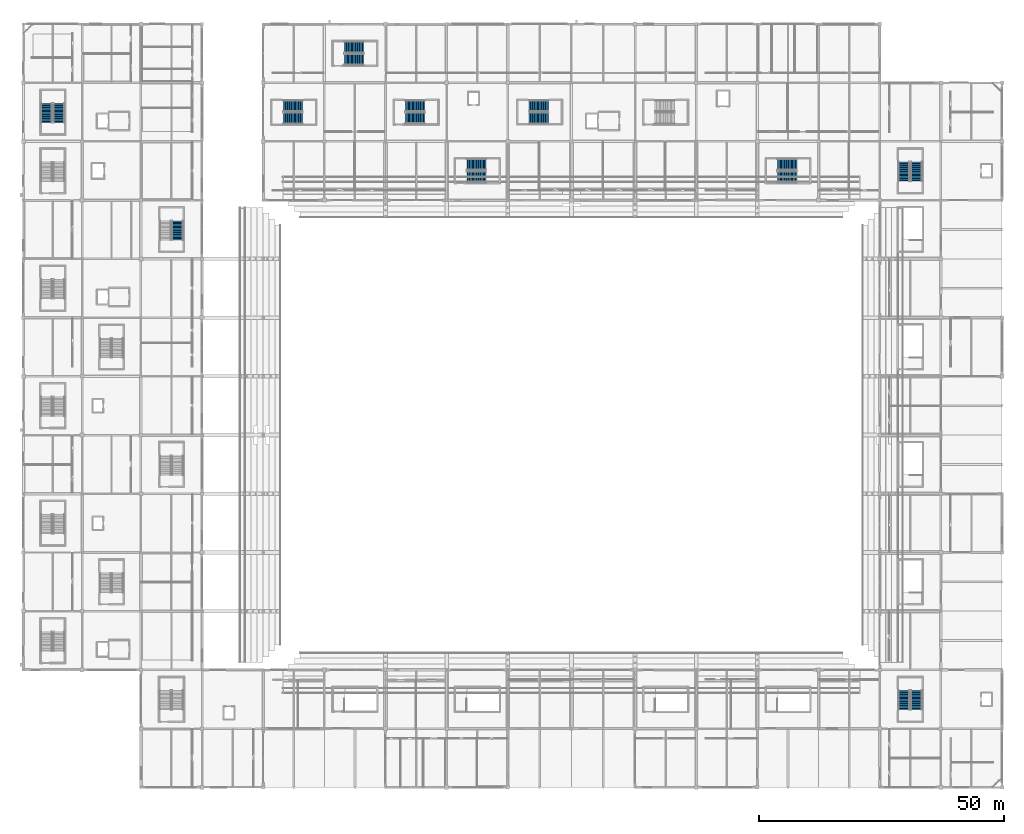
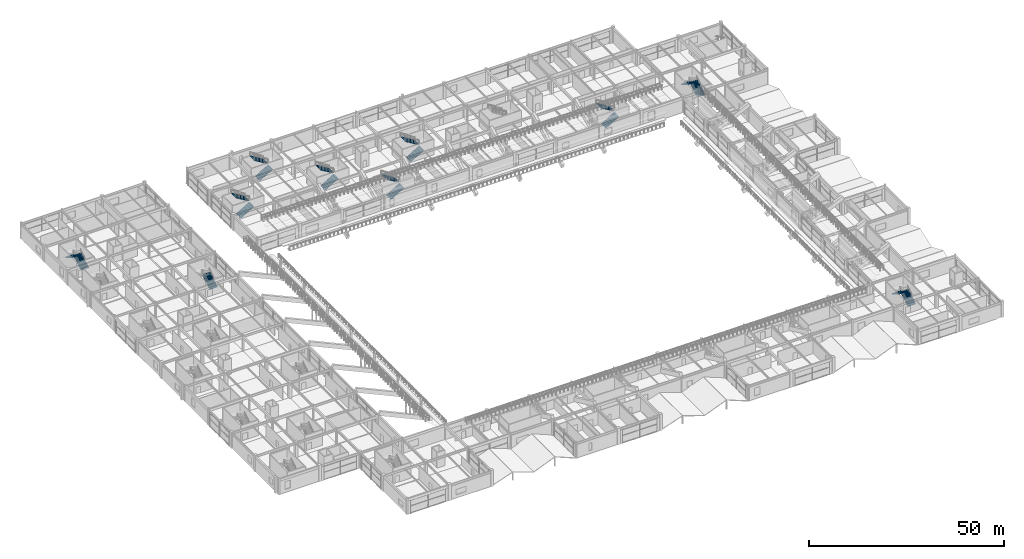
# One storey, part 101 of 128: 19 stair flights, 10 elements without a shape of their own.
"""IFC4 building model written with IfcOpenShell, lengths in metres."""

from ifc_helpers import new_model, si_unit, direction, frame, origin, place, context, subcontext, project, spatial, polyline, outline, extrude, material, type_object, element, aggregate, save


model = new_model("IFC4")

# Units and contexts
model_context = context("Model", 3, precision=1e-05, world=origin(), true_north=direction((0.0, 1.0)))
body_context = subcontext(model_context, "Body", "Model", "MODEL_VIEW")
ifc_project = project(units=[si_unit("LENGTHUNIT", "METRE"), si_unit("AREAUNIT", "SQUARE_METRE"), si_unit("VOLUMEUNIT", "CUBIC_METRE"), si_unit("PLANEANGLEUNIT", "RADIAN"), si_unit("MASSUNIT", "GRAM", prefix="KILO")], contexts=[model_context])

# Site, building, storey
site_placement = place(None, origin())
site = spatial("IfcSite", under=ifc_project, at=site_placement, CompositionType="ELEMENT")
building_placement = place(site_placement, origin())
building = spatial("IfcBuilding", under=site, at=building_placement, Name="Kazenohara Klinker Stadium", CompositionType="ELEMENT")
storey_placement = place(building_placement, frame((0.0, 0.0, 15.300048828125)))
storey = spatial("IfcBuildingStorey", under=building, at=storey_placement, Name="L03", CompositionType="ELEMENT", Elevation=15.300048828125)

# Stair, stair flights
ifc_material = material(Name="Concrete C40/50", Category="concrete")
stair_type_1 = type_object("IfcStairType", Name="STR-DL-2300", PredefinedType="HALF_TURN_STAIR", material=ifc_material)
stair_1_placement = place(storey_placement, origin())
stair_1 = element("IfcStair", 1, at=stair_1_placement, inside=storey, type_object=stair_type_1, Name="L03 Enclosed escape stair ST09", PredefinedType="HALF_TURN_STAIR")
stair_flight_type_1 = type_object("IfcStairFlightType", Name="FLT-DL-2300-5100", PredefinedType="STRAIGHT", material=ifc_material)
stair_flight_1_placement = place(storey_placement, frame((78.090087890625, 148.75, 0.0), z_axis=(0.0, 0.0, 1.0), x_axis=(1.0, 0.0, 0.0)))
stair_flight_1 = element("IfcStairFlight", 2, at=stair_flight_1_placement, type_object=stair_flight_type_1, Name="ST09 flight 1", NumberOfRisers=15, NumberOfTreads=14, PredefinedType="STRAIGHT", RiserHeight=0.17, TreadLength=0.28, context=body_context, shape_type="SweptSolid", body=[
    extrude(outline(polyline([(0.0, 0.0), (0.0, 0.169921875), (0.280029296875, 0.169921875), (0.280029296875, 0.340087890625), (0.56005859375, 0.340087890625), (0.56005859375, 0.510009765625), (0.840087890625, 0.510009765625), (0.840087890625, 0.679931640625), (1.1201171875, 0.679931640625), (1.1201171875, 0.85009765625), (1.39990234375, 0.85009765625), (1.39990234375, 1.02001953125), (1.679931640625, 1.02001953125), (1.679931640625, 1.18994140625), (1.9599609375, 1.18994140625), (1.9599609375, 1.360107421875), (2.239990234375, 1.360107421875), (2.239990234375, 1.530029296875), (2.52001953125, 1.530029296875), (2.52001953125, 1.699951171875), (2.800048828125, 1.699951171875), (2.800048828125, 1.8701171875), (3.080078125, 1.8701171875), (3.080078125, 2.0400390625), (3.360107421875, 2.0400390625), (3.360107421875, 2.2099609375), (3.639892578125, 2.2099609375), (3.639892578125, 2.3798828125), (3.919921875, 2.3798828125), (3.919921875, 2.550048828125), (3.919921875, 2.20458984375), (0.288818359375, 0.0), (0.0, 0.0)])), frame((0.0, 1.14990234375, 0.0), z_axis=(0.0, -1.0, 0.0), x_axis=(1.0, 0.0, 0.0)), (0.0, 0.0, 1.0), 2.300048828125),
])
stair_flight_2_placement = place(storey_placement, frame((82.010009765625, 151.25, 2.550048828125), z_axis=(0.0, 0.0, 1.0), x_axis=(-1.0, 0.0, 0.0)))
stair_flight_2 = element("IfcStairFlight", 3, at=stair_flight_2_placement, type_object=stair_flight_type_1, Name="ST09 flight 2", NumberOfRisers=15, NumberOfTreads=14, PredefinedType="STRAIGHT", RiserHeight=0.17, TreadLength=0.28, context=body_context, shape_type="SweptSolid", body=[
    extrude(outline(polyline([(0.0, 0.0), (0.0, 0.169921875), (0.280029296875, 0.169921875), (0.280029296875, 0.340087890625), (0.56005859375, 0.340087890625), (0.56005859375, 0.510009765625), (0.840087890625, 0.510009765625), (0.840087890625, 0.679931640625), (1.1201171875, 0.679931640625), (1.1201171875, 0.85009765625), (1.39990234375, 0.85009765625), (1.39990234375, 1.02001953125), (1.679931640625, 1.02001953125), (1.679931640625, 1.18994140625), (1.9599609375, 1.18994140625), (1.9599609375, 1.360107421875), (2.239990234375, 1.360107421875), (2.239990234375, 1.530029296875), (2.52001953125, 1.530029296875), (2.52001953125, 1.699951171875), (2.800048828125, 1.699951171875), (2.800048828125, 1.8701171875), (3.080078125, 1.8701171875), (3.080078125, 2.0400390625), (3.360107421875, 2.0400390625), (3.360107421875, 2.2099609375), (3.639892578125, 2.2099609375), (3.639892578125, 2.3798828125), (3.919921875, 2.3798828125), (3.919921875, 2.550048828125), (3.919921875, 2.20458984375), (0.288818359375, 0.0), (0.0, 0.0)])), frame((0.0, 1.14990234375, 0.0), z_axis=(0.0, -1.0, 0.0), x_axis=(1.0, 0.0, 0.0)), (0.0, 0.0, 1.0), 2.300048828125),
])
aggregate(stair_1, [stair_flight_1, stair_flight_2])

stair_type_2 = type_object("IfcStairType", Name="STR-DL-2310", PredefinedType="HALF_TURN_STAIR", material=ifc_material)
stair_2_placement = place(storey_placement, origin())
stair_2 = element("IfcStair", 4, at=stair_2_placement, inside=storey, type_object=stair_type_2, Name="L03 Enclosed escape stair ST06", PredefinedType="HALF_TURN_STAIR")
stair_flight_type_2 = type_object("IfcStairFlightType", Name="FLT-DL-2310-5100", PredefinedType="STRAIGHT", material=ifc_material)
stair_flight_3_placement = place(storey_placement, frame((7.2548828125, 147.85009765625, 0.0), z_axis=(0.0, 0.0, 1.0), x_axis=(0.0, 1.0, 0.0)))
stair_flight_3 = element("IfcStairFlight", 5, at=stair_flight_3_placement, type_object=stair_flight_type_2, Name="ST06 flight 1", NumberOfRisers=15, NumberOfTreads=14, PredefinedType="STRAIGHT", RiserHeight=0.17, TreadLength=0.28, context=body_context, shape_type="SweptSolid", body=[
    extrude(outline(polyline([(0.0, 0.0), (0.0, 0.169921875), (0.280029296875, 0.169921875), (0.280029296875, 0.340087890625), (0.56005859375, 0.340087890625), (0.56005859375, 0.510009765625), (0.840087890625, 0.510009765625), (0.840087890625, 0.679931640625), (1.1201171875, 0.679931640625), (1.1201171875, 0.85009765625), (1.39990234375, 0.85009765625), (1.39990234375, 1.02001953125), (1.679931640625, 1.02001953125), (1.679931640625, 1.18994140625), (1.9599609375, 1.18994140625), (1.9599609375, 1.360107421875), (2.239990234375, 1.360107421875), (2.239990234375, 1.530029296875), (2.52001953125, 1.530029296875), (2.52001953125, 1.699951171875), (2.800048828125, 1.699951171875), (2.800048828125, 1.8701171875), (3.080078125, 1.8701171875), (3.080078125, 2.0400390625), (3.360107421875, 2.0400390625), (3.360107421875, 2.2099609375), (3.639892578125, 2.2099609375), (3.639892578125, 2.3798828125), (3.919921875, 2.3798828125), (3.919921875, 2.550048828125), (3.919921875, 2.20458984375), (0.288818359375, 0.0), (0.0, 0.0)])), frame((0.0, 1.155029296875, 0.0), z_axis=(0.0, -1.0, 0.0), x_axis=(1.0, 0.0, 0.0)), (0.0, 0.0, 1.0), 2.31005859375),
])
stair_flight_4_placement = place(storey_placement, frame((4.7451171875, 151.77001953125, 2.550048828125), z_axis=(0.0, 0.0, 1.0), x_axis=(0.0, -1.0, 0.0)))
stair_flight_4 = element("IfcStairFlight", 6, at=stair_flight_4_placement, type_object=stair_flight_type_2, Name="ST06 flight 2", NumberOfRisers=15, NumberOfTreads=14, PredefinedType="STRAIGHT", RiserHeight=0.17, TreadLength=0.28, context=body_context, shape_type="SweptSolid", body=[
    extrude(outline(polyline([(0.0, 0.0), (0.0, 0.169921875), (0.280029296875, 0.169921875), (0.280029296875, 0.340087890625), (0.56005859375, 0.340087890625), (0.56005859375, 0.510009765625), (0.840087890625, 0.510009765625), (0.840087890625, 0.679931640625), (1.1201171875, 0.679931640625), (1.1201171875, 0.85009765625), (1.39990234375, 0.85009765625), (1.39990234375, 1.02001953125), (1.679931640625, 1.02001953125), (1.679931640625, 1.18994140625), (1.9599609375, 1.18994140625), (1.9599609375, 1.360107421875), (2.239990234375, 1.360107421875), (2.239990234375, 1.530029296875), (2.52001953125, 1.530029296875), (2.52001953125, 1.699951171875), (2.800048828125, 1.699951171875), (2.800048828125, 1.8701171875), (3.080078125, 1.8701171875), (3.080078125, 2.0400390625), (3.360107421875, 2.0400390625), (3.360107421875, 2.2099609375), (3.639892578125, 2.2099609375), (3.639892578125, 2.3798828125), (3.919921875, 2.3798828125), (3.919921875, 2.550048828125), (3.919921875, 2.20458984375), (0.288818359375, 0.0), (0.0, 0.0)])), frame((0.0, 1.155029296875, 0.0), z_axis=(0.0, -1.0, 0.0), x_axis=(1.0, 0.0, 0.0)), (0.0, 0.0, 1.0), 2.31005859375),
])
aggregate(stair_2, [stair_flight_3, stair_flight_4])

stair_3_placement = place(storey_placement, origin())
stair_3 = element("IfcStair", 7, at=stair_3_placement, inside=storey, type_object=stair_type_2, Name="L03 Enclosed escape stair ST10", PredefinedType="HALF_TURN_STAIR")
stair_flight_5_placement = place(storey_placement, frame((103.35009765625, 148.7451171875, 0.0), z_axis=(0.0, 0.0, 1.0), x_axis=(1.0, 0.0, 0.0)))
stair_flight_5 = element("IfcStairFlight", 8, at=stair_flight_5_placement, type_object=stair_flight_type_2, Name="ST10 flight 1", NumberOfRisers=15, NumberOfTreads=14, PredefinedType="STRAIGHT", RiserHeight=0.17, TreadLength=0.28, context=body_context, shape_type="SweptSolid", body=[
    extrude(outline(polyline([(0.0, 0.0), (0.0, 0.169921875), (0.280029296875, 0.169921875), (0.280029296875, 0.340087890625), (0.56005859375, 0.340087890625), (0.56005859375, 0.510009765625), (0.840087890625, 0.510009765625), (0.840087890625, 0.679931640625), (1.1201171875, 0.679931640625), (1.1201171875, 0.85009765625), (1.39990234375, 0.85009765625), (1.39990234375, 1.02001953125), (1.679931640625, 1.02001953125), (1.679931640625, 1.18994140625), (1.9599609375, 1.18994140625), (1.9599609375, 1.360107421875), (2.239990234375, 1.360107421875), (2.239990234375, 1.530029296875), (2.52001953125, 1.530029296875), (2.52001953125, 1.699951171875), (2.800048828125, 1.699951171875), (2.800048828125, 1.8701171875), (3.080078125, 1.8701171875), (3.080078125, 2.0400390625), (3.360107421875, 2.0400390625), (3.360107421875, 2.2099609375), (3.639892578125, 2.2099609375), (3.639892578125, 2.3798828125), (3.919921875, 2.3798828125), (3.919921875, 2.550048828125), (3.919921875, 2.20458984375), (0.288818359375, 0.0), (0.0, 0.0)])), frame((0.0, 1.155029296875, 0.0), z_axis=(0.0, -1.0, 0.0), x_axis=(1.0, 0.0, 0.0)), (0.0, 0.0, 1.0), 2.31005859375),
])
stair_flight_6_placement = place(storey_placement, frame((107.27001953125, 151.2548828125, 2.550048828125), z_axis=(0.0, 0.0, 1.0), x_axis=(-1.0, 0.0, 0.0)))
stair_flight_6 = element("IfcStairFlight", 9, at=stair_flight_6_placement, type_object=stair_flight_type_2, Name="ST10 flight 2", NumberOfRisers=15, NumberOfTreads=14, PredefinedType="STRAIGHT", RiserHeight=0.17, TreadLength=0.28, context=body_context, shape_type="SweptSolid", body=[
    extrude(outline(polyline([(0.0, 0.0), (0.0, 0.169921875), (0.280029296875, 0.169921875), (0.280029296875, 0.340087890625), (0.56005859375, 0.340087890625), (0.56005859375, 0.510009765625), (0.840087890625, 0.510009765625), (0.840087890625, 0.679931640625), (1.1201171875, 0.679931640625), (1.1201171875, 0.85009765625), (1.39990234375, 0.85009765625), (1.39990234375, 1.02001953125), (1.679931640625, 1.02001953125), (1.679931640625, 1.18994140625), (1.9599609375, 1.18994140625), (1.9599609375, 1.360107421875), (2.239990234375, 1.360107421875), (2.239990234375, 1.530029296875), (2.52001953125, 1.530029296875), (2.52001953125, 1.699951171875), (2.800048828125, 1.699951171875), (2.800048828125, 1.8701171875), (3.080078125, 1.8701171875), (3.080078125, 2.0400390625), (3.360107421875, 2.0400390625), (3.360107421875, 2.2099609375), (3.639892578125, 2.2099609375), (3.639892578125, 2.3798828125), (3.919921875, 2.3798828125), (3.919921875, 2.550048828125), (3.919921875, 2.20458984375), (0.288818359375, 0.0), (0.0, 0.0)])), frame((0.0, 1.155029296875, 0.0), z_axis=(0.0, -1.0, 0.0), x_axis=(1.0, 0.0, 0.0)), (0.0, 0.0, 1.0), 2.31005859375),
])
aggregate(stair_3, [stair_flight_5, stair_flight_6])

# Stair, stair flight
stair_4_placement = place(storey_placement, origin())
stair_4 = element("IfcStair", 10, at=stair_4_placement, inside=storey, type_object=stair_type_2, Name="L03 Enclosed escape stair ST18", PredefinedType="HALF_TURN_STAIR")
stair_flight_7_placement = place(storey_placement, frame((31.5048828125, 123.85009765625, 0.0), z_axis=(0.0, 0.0, 1.0), x_axis=(0.0, 1.0, 0.0)))
stair_flight_7 = element("IfcStairFlight", 11, at=stair_flight_7_placement, type_object=stair_flight_type_2, Name="ST18 flight 1", NumberOfRisers=15, NumberOfTreads=14, PredefinedType="STRAIGHT", RiserHeight=0.17, TreadLength=0.28, context=body_context, shape_type="SweptSolid", body=[
    extrude(outline(polyline([(0.0, 0.0), (0.0, 0.169921875), (0.280029296875, 0.169921875), (0.280029296875, 0.340087890625), (0.56005859375, 0.340087890625), (0.56005859375, 0.510009765625), (0.840087890625, 0.510009765625), (0.840087890625, 0.679931640625), (1.1201171875, 0.679931640625), (1.1201171875, 0.85009765625), (1.39990234375, 0.85009765625), (1.39990234375, 1.02001953125), (1.679931640625, 1.02001953125), (1.679931640625, 1.18994140625), (1.9599609375, 1.18994140625), (1.9599609375, 1.360107421875), (2.239990234375, 1.360107421875), (2.239990234375, 1.530029296875), (2.52001953125, 1.530029296875), (2.52001953125, 1.699951171875), (2.800048828125, 1.699951171875), (2.800048828125, 1.8701171875), (3.080078125, 1.8701171875), (3.080078125, 2.0400390625), (3.360107421875, 2.0400390625), (3.360107421875, 2.2099609375), (3.639892578125, 2.2099609375), (3.639892578125, 2.3798828125), (3.919921875, 2.3798828125), (3.919921875, 2.550048828125), (3.919921875, 2.20458984375), (0.288818359375, 0.0), (0.0, 0.0)])), frame((0.0, 1.155029296875, 0.0), z_axis=(0.0, -1.0, 0.0), x_axis=(1.0, 0.0, 0.0)), (0.0, 0.0, 1.0), 2.31005859375),
])
aggregate(stair_4, [stair_flight_7])

# Stair, stair flights
stair_type_3 = type_object("IfcStairType", Name="STR-DL-2330", PredefinedType="HALF_TURN_STAIR", material=ifc_material)
stair_5_placement = place(storey_placement, origin())
stair_5 = element("IfcStair", 12, at=stair_5_placement, inside=storey, type_object=stair_type_3, Name="L03 Enclosed escape stair ST15", PredefinedType="HALF_TURN_STAIR")
stair_flight_type_3 = type_object("IfcStairFlightType", Name="FLT-DL-2330-5100", PredefinedType="STRAIGHT", material=ifc_material)
stair_flight_8_placement = place(storey_placement, frame((65.6201171875, 160.735107421875, 0.0), z_axis=(0.0, 0.0, 1.0), x_axis=(1.0, 0.0, 0.0)))
stair_flight_8 = element("IfcStairFlight", 13, at=stair_flight_8_placement, type_object=stair_flight_type_3, Name="ST15 flight 1", NumberOfRisers=15, NumberOfTreads=14, PredefinedType="STRAIGHT", RiserHeight=0.17, TreadLength=0.28, context=body_context, shape_type="SweptSolid", body=[
    extrude(outline(polyline([(0.0, 0.0), (0.0, 0.169921875), (0.280029296875, 0.169921875), (0.280029296875, 0.340087890625), (0.56005859375, 0.340087890625), (0.56005859375, 0.510009765625), (0.840087890625, 0.510009765625), (0.840087890625, 0.679931640625), (1.1201171875, 0.679931640625), (1.1201171875, 0.85009765625), (1.39990234375, 0.85009765625), (1.39990234375, 1.02001953125), (1.679931640625, 1.02001953125), (1.679931640625, 1.18994140625), (1.9599609375, 1.18994140625), (1.9599609375, 1.360107421875), (2.239990234375, 1.360107421875), (2.239990234375, 1.530029296875), (2.52001953125, 1.530029296875), (2.52001953125, 1.699951171875), (2.800048828125, 1.699951171875), (2.800048828125, 1.8701171875), (3.080078125, 1.8701171875), (3.080078125, 2.0400390625), (3.360107421875, 2.0400390625), (3.360107421875, 2.2099609375), (3.639892578125, 2.2099609375), (3.639892578125, 2.3798828125), (3.919921875, 2.3798828125), (3.919921875, 2.550048828125), (3.919921875, 2.20458984375), (0.288818359375, 0.0), (0.0, 0.0)])), frame((0.0, 1.1650390625, 0.0), z_axis=(0.0, -1.0, 0.0), x_axis=(1.0, 0.0, 0.0)), (0.0, 0.0, 1.0), 2.330078125),
])
stair_flight_9_placement = place(storey_placement, frame((69.5400390625, 163.264892578125, 2.550048828125), z_axis=(0.0, 0.0, 1.0), x_axis=(-1.0, 0.0, 0.0)))
stair_flight_9 = element("IfcStairFlight", 14, at=stair_flight_9_placement, type_object=stair_flight_type_3, Name="ST15 flight 2", NumberOfRisers=15, NumberOfTreads=14, PredefinedType="STRAIGHT", RiserHeight=0.17, TreadLength=0.28, context=body_context, shape_type="SweptSolid", body=[
    extrude(outline(polyline([(0.0, 0.0), (0.0, 0.169921875), (0.280029296875, 0.169921875), (0.280029296875, 0.340087890625), (0.56005859375, 0.340087890625), (0.56005859375, 0.510009765625), (0.840087890625, 0.510009765625), (0.840087890625, 0.679931640625), (1.1201171875, 0.679931640625), (1.1201171875, 0.85009765625), (1.39990234375, 0.85009765625), (1.39990234375, 1.02001953125), (1.679931640625, 1.02001953125), (1.679931640625, 1.18994140625), (1.9599609375, 1.18994140625), (1.9599609375, 1.360107421875), (2.239990234375, 1.360107421875), (2.239990234375, 1.530029296875), (2.52001953125, 1.530029296875), (2.52001953125, 1.699951171875), (2.800048828125, 1.699951171875), (2.800048828125, 1.8701171875), (3.080078125, 1.8701171875), (3.080078125, 2.0400390625), (3.360107421875, 2.0400390625), (3.360107421875, 2.2099609375), (3.639892578125, 2.2099609375), (3.639892578125, 2.3798828125), (3.919921875, 2.3798828125), (3.919921875, 2.550048828125), (3.919921875, 2.20458984375), (0.288818359375, 0.0), (0.0, 0.0)])), frame((0.0, 1.1650390625, 0.0), z_axis=(0.0, -1.0, 0.0), x_axis=(1.0, 0.0, 0.0)), (0.0, 0.0, 1.0), 2.330078125),
])
aggregate(stair_5, [stair_flight_8, stair_flight_9])

stair_6_placement = place(storey_placement, origin())
stair_6 = element("IfcStair", 15, at=stair_6_placement, inside=storey, type_object=stair_type_3, Name="L03 Enclosed escape stair ST19", PredefinedType="HALF_TURN_STAIR")
stair_flight_10_placement = place(storey_placement, frame((90.6201171875, 136.735107421875, 0.0), z_axis=(0.0, 0.0, 1.0), x_axis=(1.0, 0.0, 0.0)))
stair_flight_10 = element("IfcStairFlight", 16, at=stair_flight_10_placement, type_object=stair_flight_type_3, Name="ST19 flight 1", NumberOfRisers=15, NumberOfTreads=14, PredefinedType="STRAIGHT", RiserHeight=0.17, TreadLength=0.28, context=body_context, shape_type="SweptSolid", body=[
    extrude(outline(polyline([(0.0, 0.0), (0.0, 0.169921875), (0.280029296875, 0.169921875), (0.280029296875, 0.340087890625), (0.56005859375, 0.340087890625), (0.56005859375, 0.510009765625), (0.840087890625, 0.510009765625), (0.840087890625, 0.679931640625), (1.1201171875, 0.679931640625), (1.1201171875, 0.85009765625), (1.39990234375, 0.85009765625), (1.39990234375, 1.02001953125), (1.679931640625, 1.02001953125), (1.679931640625, 1.18994140625), (1.9599609375, 1.18994140625), (1.9599609375, 1.360107421875), (2.239990234375, 1.360107421875), (2.239990234375, 1.530029296875), (2.52001953125, 1.530029296875), (2.52001953125, 1.699951171875), (2.800048828125, 1.699951171875), (2.800048828125, 1.8701171875), (3.080078125, 1.8701171875), (3.080078125, 2.0400390625), (3.360107421875, 2.0400390625), (3.360107421875, 2.2099609375), (3.639892578125, 2.2099609375), (3.639892578125, 2.3798828125), (3.919921875, 2.3798828125), (3.919921875, 2.550048828125), (3.919921875, 2.20458984375), (0.288818359375, 0.0), (0.0, 0.0)])), frame((0.0, 1.1650390625, 0.0), z_axis=(0.0, -1.0, 0.0), x_axis=(1.0, 0.0, 0.0)), (0.0, 0.0, 1.0), 2.330078125),
])
stair_flight_11_placement = place(storey_placement, frame((94.5400390625, 139.264892578125, 2.550048828125), z_axis=(0.0, 0.0, 1.0), x_axis=(-1.0, 0.0, 0.0)))
stair_flight_11 = element("IfcStairFlight", 17, at=stair_flight_11_placement, type_object=stair_flight_type_3, Name="ST19 flight 2", NumberOfRisers=15, NumberOfTreads=14, PredefinedType="STRAIGHT", RiserHeight=0.17, TreadLength=0.28, context=body_context, shape_type="SweptSolid", body=[
    extrude(outline(polyline([(0.0, 0.0), (0.0, 0.169921875), (0.280029296875, 0.169921875), (0.280029296875, 0.340087890625), (0.56005859375, 0.340087890625), (0.56005859375, 0.510009765625), (0.840087890625, 0.510009765625), (0.840087890625, 0.679931640625), (1.1201171875, 0.679931640625), (1.1201171875, 0.85009765625), (1.39990234375, 0.85009765625), (1.39990234375, 1.02001953125), (1.679931640625, 1.02001953125), (1.679931640625, 1.18994140625), (1.9599609375, 1.18994140625), (1.9599609375, 1.360107421875), (2.239990234375, 1.360107421875), (2.239990234375, 1.530029296875), (2.52001953125, 1.530029296875), (2.52001953125, 1.699951171875), (2.800048828125, 1.699951171875), (2.800048828125, 1.8701171875), (3.080078125, 1.8701171875), (3.080078125, 2.0400390625), (3.360107421875, 2.0400390625), (3.360107421875, 2.2099609375), (3.639892578125, 2.2099609375), (3.639892578125, 2.3798828125), (3.919921875, 2.3798828125), (3.919921875, 2.550048828125), (3.919921875, 2.20458984375), (0.288818359375, 0.0), (0.0, 0.0)])), frame((0.0, 1.1650390625, 0.0), z_axis=(0.0, -1.0, 0.0), x_axis=(1.0, 0.0, 0.0)), (0.0, 0.0, 1.0), 2.330078125),
])
aggregate(stair_6, [stair_flight_10, stair_flight_11])

stair_type_4 = type_object("IfcStairType", Name="STR-DL-2340", PredefinedType="HALF_TURN_STAIR", material=ifc_material)
stair_7_placement = place(storey_placement, origin())
stair_7 = element("IfcStair", 18, at=stair_7_placement, inside=storey, type_object=stair_type_4, Name="L03 Enclosed escape stair ST08", PredefinedType="HALF_TURN_STAIR")
stair_flight_type_4 = type_object("IfcStairFlightType", Name="FLT-DL-2340-5100", PredefinedType="STRAIGHT", material=ifc_material)
stair_flight_12_placement = place(storey_placement, frame((53.1298828125, 148.72998046875, 0.0), z_axis=(0.0, 0.0, 1.0), x_axis=(1.0, 0.0, 0.0)))
stair_flight_12 = element("IfcStairFlight", 19, at=stair_flight_12_placement, type_object=stair_flight_type_4, Name="ST08 flight 1", NumberOfRisers=15, NumberOfTreads=14, PredefinedType="STRAIGHT", RiserHeight=0.17, TreadLength=0.28, context=body_context, shape_type="SweptSolid", body=[
    extrude(outline(polyline([(0.0, 0.0), (0.0, 0.169921875), (0.280029296875, 0.169921875), (0.280029296875, 0.340087890625), (0.56005859375, 0.340087890625), (0.56005859375, 0.510009765625), (0.840087890625, 0.510009765625), (0.840087890625, 0.679931640625), (1.1201171875, 0.679931640625), (1.1201171875, 0.85009765625), (1.39990234375, 0.85009765625), (1.39990234375, 1.02001953125), (1.679931640625, 1.02001953125), (1.679931640625, 1.18994140625), (1.9599609375, 1.18994140625), (1.9599609375, 1.360107421875), (2.239990234375, 1.360107421875), (2.239990234375, 1.530029296875), (2.52001953125, 1.530029296875), (2.52001953125, 1.699951171875), (2.800048828125, 1.699951171875), (2.800048828125, 1.8701171875), (3.080078125, 1.8701171875), (3.080078125, 2.0400390625), (3.360107421875, 2.0400390625), (3.360107421875, 2.2099609375), (3.639892578125, 2.2099609375), (3.639892578125, 2.3798828125), (3.919921875, 2.3798828125), (3.919921875, 2.550048828125), (3.919921875, 2.20458984375), (0.288818359375, 0.0), (0.0, 0.0)])), frame((0.0, 1.169921875, 0.0), z_axis=(0.0, -1.0, 0.0), x_axis=(1.0, 0.0, 0.0)), (0.0, 0.0, 1.0), 2.340087890625),
])
stair_flight_13_placement = place(storey_placement, frame((57.050048828125, 151.27001953125, 2.550048828125), z_axis=(0.0, 0.0, 1.0), x_axis=(-1.0, 0.0, 0.0)))
stair_flight_13 = element("IfcStairFlight", 20, at=stair_flight_13_placement, type_object=stair_flight_type_4, Name="ST08 flight 2", NumberOfRisers=15, NumberOfTreads=14, PredefinedType="STRAIGHT", RiserHeight=0.17, TreadLength=0.28, context=body_context, shape_type="SweptSolid", body=[
    extrude(outline(polyline([(0.0, 0.0), (0.0, 0.169921875), (0.280029296875, 0.169921875), (0.280029296875, 0.340087890625), (0.56005859375, 0.340087890625), (0.56005859375, 0.510009765625), (0.840087890625, 0.510009765625), (0.840087890625, 0.679931640625), (1.1201171875, 0.679931640625), (1.1201171875, 0.85009765625), (1.39990234375, 0.85009765625), (1.39990234375, 1.02001953125), (1.679931640625, 1.02001953125), (1.679931640625, 1.18994140625), (1.9599609375, 1.18994140625), (1.9599609375, 1.360107421875), (2.239990234375, 1.360107421875), (2.239990234375, 1.530029296875), (2.52001953125, 1.530029296875), (2.52001953125, 1.699951171875), (2.800048828125, 1.699951171875), (2.800048828125, 1.8701171875), (3.080078125, 1.8701171875), (3.080078125, 2.0400390625), (3.360107421875, 2.0400390625), (3.360107421875, 2.2099609375), (3.639892578125, 2.2099609375), (3.639892578125, 2.3798828125), (3.919921875, 2.3798828125), (3.919921875, 2.550048828125), (3.919921875, 2.20458984375), (0.288818359375, 0.0), (0.0, 0.0)])), frame((0.0, 1.169921875, 0.0), z_axis=(0.0, -1.0, 0.0), x_axis=(1.0, 0.0, 0.0)), (0.0, 0.0, 1.0), 2.340087890625),
])
aggregate(stair_7, [stair_flight_12, stair_flight_13])

stair_8_placement = place(storey_placement, origin())
stair_8 = element("IfcStair", 21, at=stair_8_placement, inside=storey, type_object=stair_type_4, Name="L03 Enclosed escape stair ST12", PredefinedType="HALF_TURN_STAIR")
stair_flight_14_placement = place(storey_placement, frame((182.52001953125, 135.8798828125, 0.0), z_axis=(0.0, 0.0, 1.0), x_axis=(0.0, 1.0, 0.0)))
stair_flight_14 = element("IfcStairFlight", 22, at=stair_flight_14_placement, type_object=stair_flight_type_4, Name="ST12 flight 1", NumberOfRisers=15, NumberOfTreads=14, PredefinedType="STRAIGHT", RiserHeight=0.17, TreadLength=0.28, context=body_context, shape_type="SweptSolid", body=[
    extrude(outline(polyline([(0.0, 0.0), (0.0, 0.169921875), (0.280029296875, 0.169921875), (0.280029296875, 0.340087890625), (0.56005859375, 0.340087890625), (0.56005859375, 0.510009765625), (0.840087890625, 0.510009765625), (0.840087890625, 0.679931640625), (1.1201171875, 0.679931640625), (1.1201171875, 0.85009765625), (1.39990234375, 0.85009765625), (1.39990234375, 1.02001953125), (1.679931640625, 1.02001953125), (1.679931640625, 1.18994140625), (1.9599609375, 1.18994140625), (1.9599609375, 1.360107421875), (2.239990234375, 1.360107421875), (2.239990234375, 1.530029296875), (2.52001953125, 1.530029296875), (2.52001953125, 1.699951171875), (2.800048828125, 1.699951171875), (2.800048828125, 1.8701171875), (3.080078125, 1.8701171875), (3.080078125, 2.0400390625), (3.360107421875, 2.0400390625), (3.360107421875, 2.2099609375), (3.639892578125, 2.2099609375), (3.639892578125, 2.3798828125), (3.919921875, 2.3798828125), (3.919921875, 2.550048828125), (3.919921875, 2.20458984375), (0.288818359375, 0.0), (0.0, 0.0)])), frame((0.0, 1.169921875, 0.0), z_axis=(0.0, -1.0, 0.0), x_axis=(1.0, 0.0, 0.0)), (0.0, 0.0, 1.0), 2.340087890625),
])
stair_flight_15_placement = place(storey_placement, frame((179.97998046875, 139.800048828125, 2.550048828125), z_axis=(0.0, 0.0, 1.0), x_axis=(0.0, -1.0, 0.0)))
stair_flight_15 = element("IfcStairFlight", 23, at=stair_flight_15_placement, type_object=stair_flight_type_4, Name="ST12 flight 2", NumberOfRisers=15, NumberOfTreads=14, PredefinedType="STRAIGHT", RiserHeight=0.17, TreadLength=0.28, context=body_context, shape_type="SweptSolid", body=[
    extrude(outline(polyline([(0.0, 0.0), (0.0, 0.169921875), (0.280029296875, 0.169921875), (0.280029296875, 0.340087890625), (0.56005859375, 0.340087890625), (0.56005859375, 0.510009765625), (0.840087890625, 0.510009765625), (0.840087890625, 0.679931640625), (1.1201171875, 0.679931640625), (1.1201171875, 0.85009765625), (1.39990234375, 0.85009765625), (1.39990234375, 1.02001953125), (1.679931640625, 1.02001953125), (1.679931640625, 1.18994140625), (1.9599609375, 1.18994140625), (1.9599609375, 1.360107421875), (2.239990234375, 1.360107421875), (2.239990234375, 1.530029296875), (2.52001953125, 1.530029296875), (2.52001953125, 1.699951171875), (2.800048828125, 1.699951171875), (2.800048828125, 1.8701171875), (3.080078125, 1.8701171875), (3.080078125, 2.0400390625), (3.360107421875, 2.0400390625), (3.360107421875, 2.2099609375), (3.639892578125, 2.2099609375), (3.639892578125, 2.3798828125), (3.919921875, 2.3798828125), (3.919921875, 2.550048828125), (3.919921875, 2.20458984375), (0.288818359375, 0.0), (0.0, 0.0)])), frame((0.0, 1.169921875, 0.0), z_axis=(0.0, -1.0, 0.0), x_axis=(1.0, 0.0, 0.0)), (0.0, 0.0, 1.0), 2.340087890625),
])
aggregate(stair_8, [stair_flight_14, stair_flight_15])

stair_9_placement = place(storey_placement, origin())
stair_9 = element("IfcStair", 24, at=stair_9_placement, inside=storey, type_object=stair_type_4, Name="L03 Enclosed escape stair ST16", PredefinedType="HALF_TURN_STAIR")
stair_flight_16_placement = place(storey_placement, frame((182.52001953125, 27.8798828125, 0.0), z_axis=(0.0, 0.0, 1.0), x_axis=(0.0, 1.0, 0.0)))
stair_flight_16 = element("IfcStairFlight", 25, at=stair_flight_16_placement, type_object=stair_flight_type_4, Name="ST16 flight 1", NumberOfRisers=15, NumberOfTreads=14, PredefinedType="STRAIGHT", RiserHeight=0.17, TreadLength=0.28, context=body_context, shape_type="SweptSolid", body=[
    extrude(outline(polyline([(0.0, 0.0), (0.0, 0.169921875), (0.280029296875, 0.169921875), (0.280029296875, 0.340087890625), (0.56005859375, 0.340087890625), (0.56005859375, 0.510009765625), (0.840087890625, 0.510009765625), (0.840087890625, 0.679931640625), (1.1201171875, 0.679931640625), (1.1201171875, 0.85009765625), (1.39990234375, 0.85009765625), (1.39990234375, 1.02001953125), (1.679931640625, 1.02001953125), (1.679931640625, 1.18994140625), (1.9599609375, 1.18994140625), (1.9599609375, 1.360107421875), (2.239990234375, 1.360107421875), (2.239990234375, 1.530029296875), (2.52001953125, 1.530029296875), (2.52001953125, 1.699951171875), (2.800048828125, 1.699951171875), (2.800048828125, 1.8701171875), (3.080078125, 1.8701171875), (3.080078125, 2.0400390625), (3.360107421875, 2.0400390625), (3.360107421875, 2.2099609375), (3.639892578125, 2.2099609375), (3.639892578125, 2.3798828125), (3.919921875, 2.3798828125), (3.919921875, 2.550048828125), (3.919921875, 2.20458984375), (0.288818359375, 0.0), (0.0, 0.0)])), frame((0.0, 1.169921875, 0.0), z_axis=(0.0, -1.0, 0.0), x_axis=(1.0, 0.0, 0.0)), (0.0, 0.0, 1.0), 2.340087890625),
])
stair_flight_17_placement = place(storey_placement, frame((179.97998046875, 31.800048828125, 2.550048828125), z_axis=(0.0, 0.0, 1.0), x_axis=(0.0, -1.0, 0.0)))
stair_flight_17 = element("IfcStairFlight", 26, at=stair_flight_17_placement, type_object=stair_flight_type_4, Name="ST16 flight 2", NumberOfRisers=15, NumberOfTreads=14, PredefinedType="STRAIGHT", RiserHeight=0.17, TreadLength=0.28, context=body_context, shape_type="SweptSolid", body=[
    extrude(outline(polyline([(0.0, 0.0), (0.0, 0.169921875), (0.280029296875, 0.169921875), (0.280029296875, 0.340087890625), (0.56005859375, 0.340087890625), (0.56005859375, 0.510009765625), (0.840087890625, 0.510009765625), (0.840087890625, 0.679931640625), (1.1201171875, 0.679931640625), (1.1201171875, 0.85009765625), (1.39990234375, 0.85009765625), (1.39990234375, 1.02001953125), (1.679931640625, 1.02001953125), (1.679931640625, 1.18994140625), (1.9599609375, 1.18994140625), (1.9599609375, 1.360107421875), (2.239990234375, 1.360107421875), (2.239990234375, 1.530029296875), (2.52001953125, 1.530029296875), (2.52001953125, 1.699951171875), (2.800048828125, 1.699951171875), (2.800048828125, 1.8701171875), (3.080078125, 1.8701171875), (3.080078125, 2.0400390625), (3.360107421875, 2.0400390625), (3.360107421875, 2.2099609375), (3.639892578125, 2.2099609375), (3.639892578125, 2.3798828125), (3.919921875, 2.3798828125), (3.919921875, 2.550048828125), (3.919921875, 2.20458984375), (0.288818359375, 0.0), (0.0, 0.0)])), frame((0.0, 1.169921875, 0.0), z_axis=(0.0, -1.0, 0.0), x_axis=(1.0, 0.0, 0.0)), (0.0, 0.0, 1.0), 2.340087890625),
])
aggregate(stair_9, [stair_flight_16, stair_flight_17])

stair_10_placement = place(storey_placement, origin())
stair_10 = element("IfcStair", 27, at=stair_10_placement, inside=storey, type_object=stair_type_4, Name="L03 Enclosed escape stair ST20", PredefinedType="HALF_TURN_STAIR")
stair_flight_18_placement = place(storey_placement, frame((154.1298828125, 136.72998046875, 0.0), z_axis=(0.0, 0.0, 1.0), x_axis=(1.0, 0.0, 0.0)))
stair_flight_18 = element("IfcStairFlight", 28, at=stair_flight_18_placement, type_object=stair_flight_type_4, Name="ST20 flight 1", NumberOfRisers=15, NumberOfTreads=14, PredefinedType="STRAIGHT", RiserHeight=0.17, TreadLength=0.28, context=body_context, shape_type="SweptSolid", body=[
    extrude(outline(polyline([(0.0, 0.0), (0.0, 0.169921875), (0.280029296875, 0.169921875), (0.280029296875, 0.340087890625), (0.56005859375, 0.340087890625), (0.56005859375, 0.510009765625), (0.840087890625, 0.510009765625), (0.840087890625, 0.679931640625), (1.1201171875, 0.679931640625), (1.1201171875, 0.85009765625), (1.39990234375, 0.85009765625), (1.39990234375, 1.02001953125), (1.679931640625, 1.02001953125), (1.679931640625, 1.18994140625), (1.9599609375, 1.18994140625), (1.9599609375, 1.360107421875), (2.239990234375, 1.360107421875), (2.239990234375, 1.530029296875), (2.52001953125, 1.530029296875), (2.52001953125, 1.699951171875), (2.800048828125, 1.699951171875), (2.800048828125, 1.8701171875), (3.080078125, 1.8701171875), (3.080078125, 2.0400390625), (3.360107421875, 2.0400390625), (3.360107421875, 2.2099609375), (3.639892578125, 2.2099609375), (3.639892578125, 2.3798828125), (3.919921875, 2.3798828125), (3.919921875, 2.550048828125), (3.919921875, 2.20458984375), (0.288818359375, 0.0), (0.0, 0.0)])), frame((0.0, 1.169921875, 0.0), z_axis=(0.0, -1.0, 0.0), x_axis=(1.0, 0.0, 0.0)), (0.0, 0.0, 1.0), 2.340087890625),
])
stair_flight_19_placement = place(storey_placement, frame((158.050048828125, 139.27001953125, 2.550048828125), z_axis=(0.0, 0.0, 1.0), x_axis=(-1.0, 0.0, 0.0)))
stair_flight_19 = element("IfcStairFlight", 29, at=stair_flight_19_placement, type_object=stair_flight_type_4, Name="ST20 flight 2", NumberOfRisers=15, NumberOfTreads=14, PredefinedType="STRAIGHT", RiserHeight=0.17, TreadLength=0.28, context=body_context, shape_type="SweptSolid", body=[
    extrude(outline(polyline([(0.0, 0.0), (0.0, 0.169921875), (0.280029296875, 0.169921875), (0.280029296875, 0.340087890625), (0.56005859375, 0.340087890625), (0.56005859375, 0.510009765625), (0.840087890625, 0.510009765625), (0.840087890625, 0.679931640625), (1.1201171875, 0.679931640625), (1.1201171875, 0.85009765625), (1.39990234375, 0.85009765625), (1.39990234375, 1.02001953125), (1.679931640625, 1.02001953125), (1.679931640625, 1.18994140625), (1.9599609375, 1.18994140625), (1.9599609375, 1.360107421875), (2.239990234375, 1.360107421875), (2.239990234375, 1.530029296875), (2.52001953125, 1.530029296875), (2.52001953125, 1.699951171875), (2.800048828125, 1.699951171875), (2.800048828125, 1.8701171875), (3.080078125, 1.8701171875), (3.080078125, 2.0400390625), (3.360107421875, 2.0400390625), (3.360107421875, 2.2099609375), (3.639892578125, 2.2099609375), (3.639892578125, 2.3798828125), (3.919921875, 2.3798828125), (3.919921875, 2.550048828125), (3.919921875, 2.20458984375), (0.288818359375, 0.0), (0.0, 0.0)])), frame((0.0, 1.169921875, 0.0), z_axis=(0.0, -1.0, 0.0), x_axis=(1.0, 0.0, 0.0)), (0.0, 0.0, 1.0), 2.340087890625),
])
aggregate(stair_10, [stair_flight_18, stair_flight_19])

save(model, "model.ifc")
